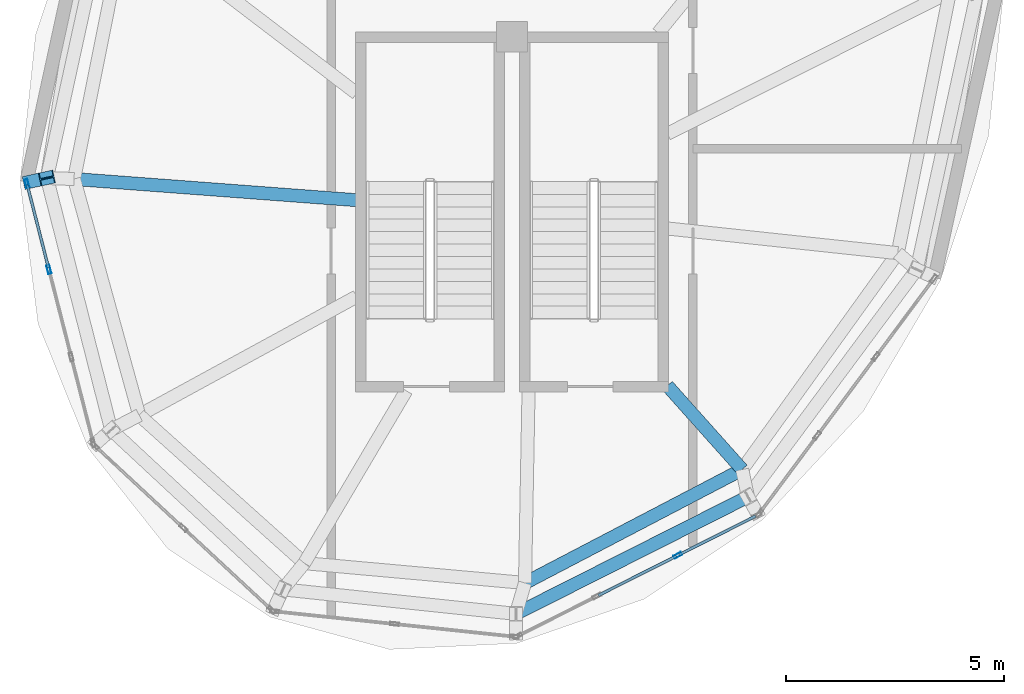
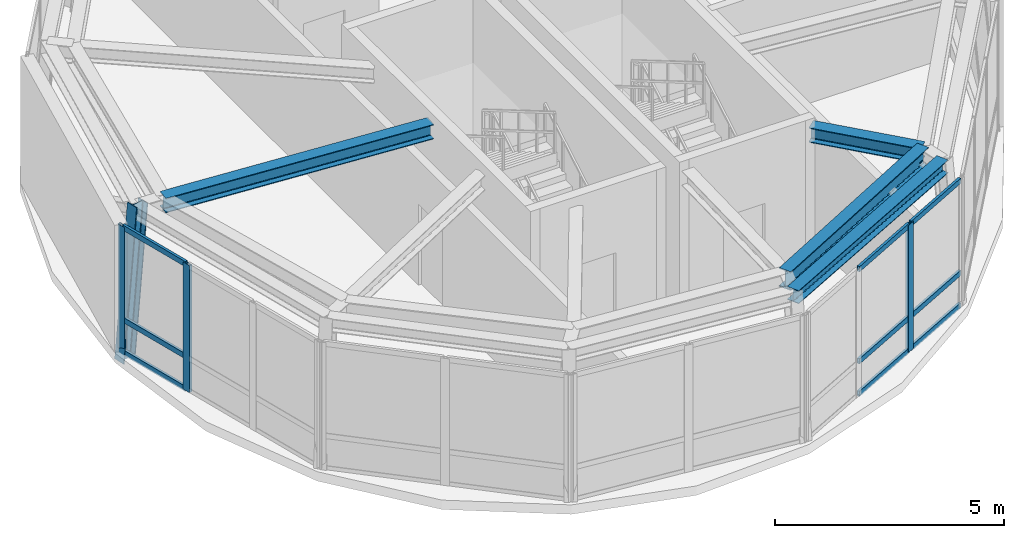
# One storey, part 2 of 9: 13 members, 4 beams, 2 elements without a shape of their own.
"""IFC4 building model written with IfcOpenShell, lengths in metres."""

from ifc_helpers import new_model, si_unit, direction, frame, origin, origin_2d, place, context, subcontext, project, spatial, hollow_rectangle, i_section, extrude, material, layer, layer_set, material_profile, profile_set, type_object, element, aggregate, save


model = new_model("IFC4")

# Units and contexts
model_context = context("Model", 3, precision=1e-05, world=origin(), true_north=direction((0.0, 1.0)))
body_context = subcontext(model_context, "Body", "Model", "MODEL_VIEW")
ifc_project = project(units=[si_unit("LENGTHUNIT", "METRE"), si_unit("AREAUNIT", "SQUARE_METRE"), si_unit("VOLUMEUNIT", "CUBIC_METRE"), si_unit("PLANEANGLEUNIT", "RADIAN"), si_unit("MASSUNIT", "GRAM", prefix="KILO"), si_unit("THERMODYNAMICTEMPERATUREUNIT", "KELVIN"), si_unit("POWERUNIT", "WATT")], contexts=[model_context])

# Site, building, storey
site_placement = place(None, origin())
site = spatial("IfcSite", under=ifc_project, at=site_placement, CompositionType="ELEMENT")
building_placement = place(site_placement, origin())
building = spatial("IfcBuilding", under=site, at=building_placement, Name="Ocrelia Relay Tower", CompositionType="ELEMENT")
storey_placement = place(building_placement, frame((0.0, 0.0, 300.0)))
storey = spatial("IfcBuildingStorey", under=building, at=storey_placement, Name="L75", CompositionType="ELEMENT", Elevation=300.0)

# Beams
ifc_material_1 = material(Name="Steel S355", Category="steel")
ifc_material_profile_1 = material_profile(ifc_material_1, i_section(OverallWidth=0.300048828125, OverallDepth=0.35009765625, WebThickness=0.010009765625, FlangeThickness=0.017578125, FilletRadius=0.027099609375, at=origin_2d()), Name="HEA 360")
ifc_profile_set_1 = profile_set([ifc_material_profile_1], Name="Steel S355")
beam_type_1 = type_object("IfcBeamType", Name="BM-HEA360", PredefinedType="SPANDREL", material=ifc_profile_set_1)
beam_1_placement = place(storey_placement, frame((34.09033203125, 13.876953125, 3.574951171875), z_axis=(0.892750267623, 0.450551839036, 0.0), x_axis=(-0.450551839036, 0.892750267623, 0.0)))
element("IfcBeam", 1, at=beam_1_placement, inside=storey, type_object=beam_type_1, Name="L75 Crown Faceted Ring Beam R08", PredefinedType="SPANDREL", context=body_context, shape_type="SweptSolid", body=[
    extrude(i_section(OverallWidth=0.300048828125, OverallDepth=0.35009765625, WebThickness=0.010009765625, FlangeThickness=0.017578125, FilletRadius=0.027099609375, at=origin_2d()), origin(), (0.0, 0.0, 1.0), 5.962158203125),
])
ifc_material_profile_2 = material_profile(ifc_material_1, i_section(OverallWidth=0.300048828125, OverallDepth=0.389892578125, WebThickness=0.010986328125, FlangeThickness=0.01904296875, FilletRadius=0.027099609375, at=origin_2d()), Name="HEA 400")
ifc_profile_set_2 = profile_set([ifc_material_profile_2], Name="Steel S355")
beam_type_2 = type_object("IfcBeamType", Name="BM-HEA400", PredefinedType="SPANDREL", material=ifc_profile_set_2)
beam_2_placement = place(storey_placement, frame((23.95361328125, 23.85302734375, 3.554931640625), z_axis=(0.997202390593, -0.074748860829, 0.0), x_axis=(0.074748860829, 0.997202390593, 0.0)))
element("IfcBeam", 2, at=beam_2_placement, inside=storey, type_object=beam_type_2, Name="L75 Crown Radial Floor Beam 05", PredefinedType="SPANDREL", context=body_context, shape_type="SweptSolid", body=[
    extrude(i_section(OverallWidth=0.300048828125, OverallDepth=0.389892578125, WebThickness=0.010986328125, FlangeThickness=0.01904296875, FilletRadius=0.027099609375, at=origin_2d()), origin(), (0.0, 0.0, 1.0), 6.49951171875),
])
beam_3_placement = place(storey_placement, frame((39.281494140625, 17.188232421875, 3.554931640625), z_axis=(-0.666237938355, 0.74573923693, 0.0), x_axis=(-0.74573923693, -0.666237938355, 0.0)))
element("IfcBeam", 3, at=beam_3_placement, inside=storey, type_object=beam_type_2, Name="L75 Crown Radial Floor Beam 09", PredefinedType="SPANDREL", context=body_context, shape_type="SweptSolid", body=[
    extrude(i_section(OverallWidth=0.300048828125, OverallDepth=0.389892578125, WebThickness=0.010986328125, FlangeThickness=0.01904296875, FilletRadius=0.027099609375, at=origin_2d()), origin(), (0.0, 0.0, 1.0), 2.576416015625),
])
ifc_material_profile_3 = material_profile(ifc_material_1, i_section(OverallWidth=0.300048828125, OverallDepth=0.5, WebThickness=0.014404296875, FlangeThickness=0.028076171875, FilletRadius=0.027099609375, at=origin_2d()), Name="HEB 500")
ifc_profile_set_3 = profile_set([ifc_material_profile_3], Name="Steel S355")
beam_type_3 = type_object("IfcBeamType", Name="BM-HEB500", PredefinedType="BEAM", material=ifc_profile_set_3)
beam_4_placement = place(storey_placement, frame((34.298095703125, 14.58544921875, 3.5), z_axis=(0.886384222203, 0.46295033279, 0.0), x_axis=(-0.46295033279, 0.886384222203, 0.0)))
element("IfcBeam", 4, at=beam_4_placement, inside=storey, type_object=beam_type_3, Name="L75 Crown Step Perimeter Ring Beam SR08", PredefinedType="BEAM", context=body_context, shape_type="SweptSolid", body=[
    extrude(i_section(OverallWidth=0.300048828125, OverallDepth=0.5, WebThickness=0.014404296875, FlangeThickness=0.028076171875, FilletRadius=0.027099609375, at=origin_2d()), origin(), (0.0, 0.0, 1.0), 5.6220703125),
])

# Curtain wall, members
ifc_material_2 = material(Name="Aluminium and solar-control low-E glass", Category="aluminium")
ifc_layer = layer(ifc_material_2, 0.179931640625, Name="Aluminium and solar-control low-E glass")
ifc_layer_set = layer_set([ifc_layer], Name="Aluminium and solar-control low-E glass")
curtain_wall_type = type_object("IfcCurtainWallType", Name="CW-SYS-CROWN-PT", PredefinedType="NOTDEFINED", material=ifc_layer_set)
curtain_wall_1_placement = place(storey_placement, origin())
curtain_wall_1 = element("IfcCurtainWall", 5, at=curtain_wall_1_placement, inside=storey, type_object=curtain_wall_type, Name="L75 Faceted Glass-Point Crown Curtain Wall 05", PredefinedType="NOTDEFINED")
ifc_material_3 = material(Name="Anodised bronze aluminium", Category="aluminium")
ifc_material_profile_4 = material_profile(ifc_material_3, hollow_rectangle(XDim=0.074951171875, YDim=0.199951171875, WallThickness=0.006103515625, at=origin_2d()), Name="CW-MUL-200x75")
ifc_profile_set_4 = profile_set([ifc_material_profile_4], Name="Anodised bronze aluminium")
member_type_1 = type_object("IfcMemberType", Name="CW-SYS-CROWN-PT-MUL", PredefinedType="MULLION", material=ifc_profile_set_4)
member_1_placement = place(storey_placement, frame((22.87109375, 23.750244140625, 0.0), z_axis=(0.0, 0.0, 1.0), x_axis=(0.968839306988, 0.24769012341, 0.0)))
member_1 = element("IfcMember", 6, at=member_1_placement, type_object=member_type_1, Name="CW-CR mullion 1", PredefinedType="MULLION", context=body_context, shape_type="SweptSolid", body=[
    extrude(hollow_rectangle(XDim=0.074951171875, YDim=0.199951171875, WallThickness=0.006103515625, at=origin_2d()), origin(), (0.0, 0.0, 1.0), 3.389892578125),
])
member_2_placement = place(storey_placement, frame((23.375732421875, 21.777099609375, 0.0), z_axis=(0.0, 0.0, 1.0), x_axis=(0.968839306988, 0.24769012341, 0.0)))
member_2 = element("IfcMember", 7, at=member_2_placement, type_object=member_type_1, Name="CW-CR mullion 2", PredefinedType="MULLION", context=body_context, shape_type="SweptSolid", body=[
    extrude(hollow_rectangle(XDim=0.074951171875, YDim=0.199951171875, WallThickness=0.006103515625, at=origin_2d()), origin(), (0.0, 0.0, 1.0), 3.389892578125),
])

# Curtain wall, member
curtain_wall_2_placement = place(storey_placement, origin())
curtain_wall_2 = element("IfcCurtainWall", 8, at=curtain_wall_2_placement, inside=storey, type_object=curtain_wall_type, Name="L75 Faceted Glass-Point Crown Curtain Wall 08", PredefinedType="NOTDEFINED")
member_3_placement = place(storey_placement, frame((37.802001953125, 15.2177734375, 0.0), z_axis=(0.0, 0.0, 1.0), x_axis=(-0.450232414421, 0.892911402663, 0.0)))
member_3 = element("IfcMember", 9, at=member_3_placement, type_object=member_type_1, Name="CW-CR mullion 3", PredefinedType="MULLION", context=body_context, shape_type="SweptSolid", body=[
    extrude(hollow_rectangle(XDim=0.074951171875, YDim=0.199951171875, WallThickness=0.006103515625, at=origin_2d()), origin(), (0.0, 0.0, 1.0), 3.389892578125),
])

# Member
ifc_material_profile_5 = material_profile(ifc_material_3, hollow_rectangle(XDim=0.06494140625, YDim=0.139892578125, WallThickness=0.0048828125, at=origin_2d()), Name="CW-TRN-140x65")
ifc_profile_set_5 = profile_set([ifc_material_profile_5], Name="Anodised bronze aluminium")
member_type_2 = type_object("IfcMemberType", Name="CW-SYS-CROWN-PT-TRN", PredefinedType="USERDEFINED", material=ifc_profile_set_5)
member_4_placement = place(storey_placement, frame((22.88037109375, 23.7138671875, 0.032470703125), z_axis=(0.247803366406, -0.968810348622, 0.0), x_axis=(0.968810348622, 0.247803366406, 0.0)))
member_4 = element("IfcMember", 10, at=member_4_placement, type_object=member_type_2, Name="CW-CR transom 1.1", ObjectType="TRANSOM", PredefinedType="USERDEFINED", context=body_context, shape_type="SweptSolid", body=[
    extrude(hollow_rectangle(XDim=0.06494140625, YDim=0.139892578125, WallThickness=0.0048828125, at=origin_2d()), origin(), (0.0, 0.0, 1.0), 1.961669921875),
])

member_5_placement = place(storey_placement, frame((22.88037109375, 23.7138671875, 0.89990234375), z_axis=(0.247803366406, -0.968810348622, 0.0), x_axis=(0.968810348622, 0.247803366406, 0.0)))
member_5 = element("IfcMember", 11, at=member_5_placement, type_object=member_type_2, Name="CW-CR transom 1.2", ObjectType="TRANSOM", PredefinedType="USERDEFINED", context=body_context, shape_type="SweptSolid", body=[
    extrude(hollow_rectangle(XDim=0.06494140625, YDim=0.139892578125, WallThickness=0.0048828125, at=origin_2d()), origin(), (0.0, 0.0, 1.0), 1.961669921875),
])

member_6_placement = place(storey_placement, frame((22.88037109375, 23.7138671875, 3.357421875), z_axis=(0.247803366406, -0.968810348622, 0.0), x_axis=(0.968810348622, 0.247803366406, 0.0)))
member_6 = element("IfcMember", 12, at=member_6_placement, type_object=member_type_2, Name="CW-CR transom 1.3", ObjectType="TRANSOM", PredefinedType="USERDEFINED", context=body_context, shape_type="SweptSolid", body=[
    extrude(hollow_rectangle(XDim=0.06494140625, YDim=0.139892578125, WallThickness=0.0048828125, at=origin_2d()), origin(), (0.0, 0.0, 1.0), 1.961669921875),
])

aggregate(curtain_wall_1, [member_1, member_2, member_4, member_5, member_6])

member_7_placement = place(storey_placement, frame((35.9833984375, 14.301025390625, 0.032470703125), z_axis=(0.892956923422, 0.450142125237, 0.0), x_axis=(-0.450142125237, 0.892956923422, 0.0)))
member_7 = element("IfcMember", 13, at=member_7_placement, type_object=member_type_2, Name="CW-CR transom 2.1", ObjectType="TRANSOM", PredefinedType="USERDEFINED", context=body_context, shape_type="SweptSolid", body=[
    extrude(hollow_rectangle(XDim=0.06494140625, YDim=0.139892578125, WallThickness=0.0048828125, at=origin_2d()), origin(), (0.0, 0.0, 1.0), 1.999267578125),
])

member_8_placement = place(storey_placement, frame((35.9833984375, 14.301025390625, 0.89990234375), z_axis=(0.892956923422, 0.450142125237, 0.0), x_axis=(-0.450142125237, 0.892956923422, 0.0)))
member_8 = element("IfcMember", 14, at=member_8_placement, type_object=member_type_2, Name="CW-CR transom 2.2", ObjectType="TRANSOM", PredefinedType="USERDEFINED", context=body_context, shape_type="SweptSolid", body=[
    extrude(hollow_rectangle(XDim=0.06494140625, YDim=0.139892578125, WallThickness=0.0048828125, at=origin_2d()), origin(), (0.0, 0.0, 1.0), 1.999267578125),
])

member_9_placement = place(storey_placement, frame((35.9833984375, 14.301025390625, 3.357421875), z_axis=(0.892956923422, 0.450142125237, 0.0), x_axis=(-0.450142125237, 0.892956923422, 0.0)))
member_9 = element("IfcMember", 15, at=member_9_placement, type_object=member_type_2, Name="CW-CR transom 2.3", ObjectType="TRANSOM", PredefinedType="USERDEFINED", context=body_context, shape_type="SweptSolid", body=[
    extrude(hollow_rectangle(XDim=0.06494140625, YDim=0.139892578125, WallThickness=0.0048828125, at=origin_2d()), origin(), (0.0, 0.0, 1.0), 1.999267578125),
])

member_10_placement = place(storey_placement, frame((37.83544921875, 15.23486328125, 0.032470703125), z_axis=(0.892928594713, 0.450198317128, 0.0), x_axis=(-0.450198317128, 0.892928594713, 0.0)))
member_10 = element("IfcMember", 16, at=member_10_placement, type_object=member_type_2, Name="CW-CR transom 3.1", ObjectType="TRANSOM", PredefinedType="USERDEFINED", context=body_context, shape_type="SweptSolid", body=[
    extrude(hollow_rectangle(XDim=0.06494140625, YDim=0.139892578125, WallThickness=0.0048828125, at=origin_2d()), origin(), (0.0, 0.0, 1.0), 1.96142578125),
])

member_11_placement = place(storey_placement, frame((37.83544921875, 15.23486328125, 0.89990234375), z_axis=(0.892928594713, 0.450198317128, 0.0), x_axis=(-0.450198317128, 0.892928594713, 0.0)))
member_11 = element("IfcMember", 17, at=member_11_placement, type_object=member_type_2, Name="CW-CR transom 3.2", ObjectType="TRANSOM", PredefinedType="USERDEFINED", context=body_context, shape_type="SweptSolid", body=[
    extrude(hollow_rectangle(XDim=0.06494140625, YDim=0.139892578125, WallThickness=0.0048828125, at=origin_2d()), origin(), (0.0, 0.0, 1.0), 1.96142578125),
])

member_12_placement = place(storey_placement, frame((37.83544921875, 15.23486328125, 3.357421875), z_axis=(0.892928594713, 0.450198317128, 0.0), x_axis=(-0.450198317128, 0.892928594713, 0.0)))
member_12 = element("IfcMember", 18, at=member_12_placement, type_object=member_type_2, Name="CW-CR transom 3.3", ObjectType="TRANSOM", PredefinedType="USERDEFINED", context=body_context, shape_type="SweptSolid", body=[
    extrude(hollow_rectangle(XDim=0.06494140625, YDim=0.139892578125, WallThickness=0.0048828125, at=origin_2d()), origin(), (0.0, 0.0, 1.0), 1.96142578125),
])

aggregate(curtain_wall_2, [member_3, member_7, member_8, member_9, member_10, member_11, member_12])

ifc_material_profile_6 = material_profile(ifc_material_1, i_section(OverallWidth=0.300048828125, OverallDepth=0.340087890625, WebThickness=0.011962890625, FlangeThickness=0.021484375, FilletRadius=0.027099609375, at=origin_2d()), Name="HEB 340")
ifc_profile_set_6 = profile_set([ifc_material_profile_6], Name="Steel S355")
member_type_3 = type_object("IfcMemberType", Name="MB-CROWN-RIB", PredefinedType="STRUT", material=ifc_profile_set_6)
member_13_placement = place(storey_placement, frame((22.96142578125, 23.796142578125, -0.25), z_axis=(0.091816498861, 0.019748750582, 0.995580090895), x_axis=(-0.210280196686, 0.977641160591, 0.0)))
element("IfcMember", 19, at=member_13_placement, inside=storey, type_object=member_type_3, Name="L75 Crown Faceted Structural Strut Rib CR05", PredefinedType="STRUT", context=body_context, shape_type="SweptSolid", body=[
    extrude(i_section(OverallWidth=0.300048828125, OverallDepth=0.340087890625, WebThickness=0.011962890625, FlangeThickness=0.021484375, FilletRadius=0.027099609375, at=origin_2d()), origin(), (0.0, 0.0, 1.0), 4.017822265625),
])

save(model, "model.ifc")
